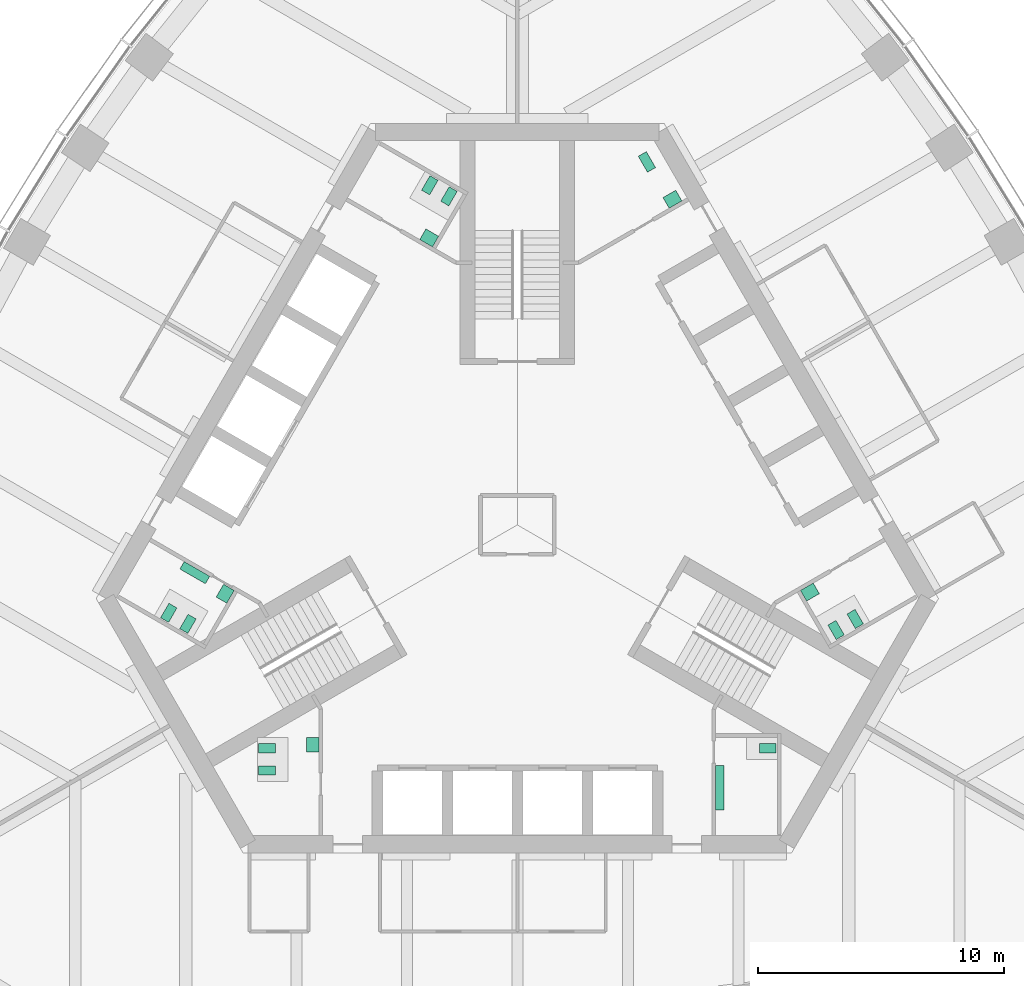
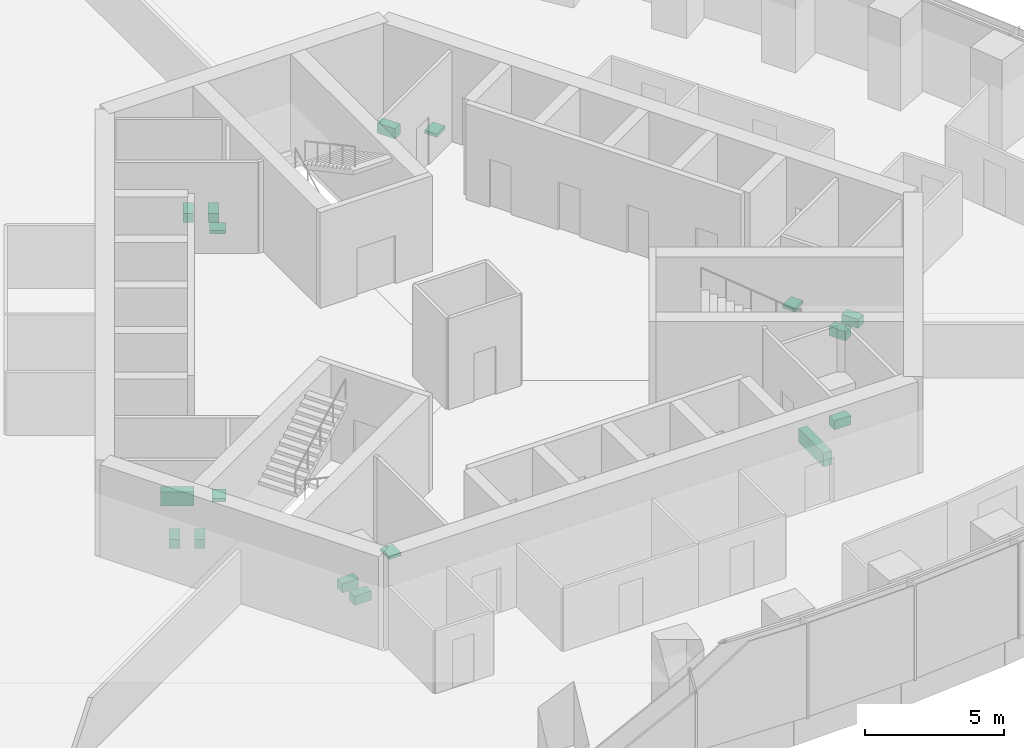
# One storey, part 13 of 14: 17 sanitary terminals.
"""IFC4 building model written with IfcOpenShell, lengths in metres."""

from ifc_helpers import new_model, si_unit, direction, frame, origin, place, context, subcontext, project, spatial, polyline, outline, extrude, material, type_object, element, save


model = new_model("IFC4")

# Units and contexts
model_context = context("Model", 3, precision=1e-05, world=origin(), true_north=direction((0.0, 1.0)))
body_context = subcontext(model_context, "Body", "Model", "MODEL_VIEW")
ifc_project = project(units=[si_unit("LENGTHUNIT", "METRE"), si_unit("AREAUNIT", "SQUARE_METRE"), si_unit("VOLUMEUNIT", "CUBIC_METRE"), si_unit("PLANEANGLEUNIT", "RADIAN"), si_unit("MASSUNIT", "GRAM", prefix="KILO")], contexts=[model_context])

# Site, building, storey
site_placement = place(None, origin())
site = spatial("IfcSite", under=ifc_project, at=site_placement, CompositionType="ELEMENT")
building_placement = place(site_placement, origin())
building = spatial("IfcBuilding", under=site, at=building_placement, Name="Trefoil Bronze Tower", CompositionType="ELEMENT")
storey_placement = place(building_placement, frame((0.0, 0.0, 280.5)))
storey = spatial("IfcBuildingStorey", under=building, at=storey_placement, Name="L64", CompositionType="ELEMENT", Elevation=280.5)

# Sanitary terminals
ifc_material_1 = material(Name="Vitreous china", Category="ceramic")
sanitary_terminal_type_1 = type_object("IfcSanitaryTerminalType", Name="Accessible WC pan", PredefinedType="TOILETPAN", material=ifc_material_1)
sanitary_terminal_1_placement = place(storey_placement, origin())
element("IfcSanitaryTerminal", 1, at=sanitary_terminal_1_placement, inside=storey, type_object=sanitary_terminal_type_1, Name="WC pan 1 Accessible WC L64", PredefinedType="TOILETPAN", context=body_context, shape_type="SweptSolid", body=[
    extrude(outline(polyline([(5.300537109375, 14.359130859375), (4.925537109375, 15.008544921875), (5.254638671875, 15.198486328125), (5.629638671875, 14.549072265625), (5.300537109375, 14.359130859375)])), origin(), (0.0, 0.0, 1.0), 0.449951171875),
])
ifc_material_2 = material(Name="Vitreous china", Category="ceramic")
sanitary_terminal_type_2 = type_object("IfcSanitaryTerminalType", Name="Accessible basin", PredefinedType="WASHHANDBASIN", material=ifc_material_2)
sanitary_terminal_2_placement = place(storey_placement, frame((0.0, 0.0, 0.64990234375)))
element("IfcSanitaryTerminal", 2, at=sanitary_terminal_2_placement, inside=storey, type_object=sanitary_terminal_type_2, Name="Wash basin Accessible WC L64", PredefinedType="WASHHANDBASIN", context=body_context, shape_type="SweptSolid", body=[
    extrude(outline(polyline([(6.181640625, 12.89306640625), (5.931640625, 13.326171875), (6.451171875, 13.626220703125), (6.701171875, 13.193115234375), (6.181640625, 12.89306640625)])), origin(), (0.0, 0.0, 1.0), 0.150146484375),
])
ifc_material_3 = material(Name="Vitreous china", Category="ceramic")
sanitary_terminal_type_3 = type_object("IfcSanitaryTerminalType", Name="Urinal range 2 urinals", PredefinedType="URINAL", material=ifc_material_3)
sanitary_terminal_3_placement = place(storey_placement, frame((0.0, 0.0, 0.39990234375)))
element("IfcSanitaryTerminal", 3, at=sanitary_terminal_3_placement, inside=storey, type_object=sanitary_terminal_type_3, Name="Urinal range WC (men) L64", PredefinedType="URINAL", context=body_context, shape_type="SweptSolid", body=[
    extrude(outline(polyline([(-12.524658203125, -2.09326171875), (-12.699462890625, -2.396240234375), (-13.73876953125, -1.796142578125), (-13.563720703125, -1.4931640625), (-12.524658203125, -2.09326171875)])), origin(), (0.0, 0.0, 1.0), 0.60009765625),
])
ifc_material_4 = material(Name="Vitreous china", Category="ceramic")
sanitary_terminal_type_4 = type_object("IfcSanitaryTerminalType", Name="Urinal range 3 urinals", PredefinedType="URINAL", material=ifc_material_4)
sanitary_terminal_4_placement = place(storey_placement, frame((0.0, 0.0, 0.39990234375)))
element("IfcSanitaryTerminal", 4, at=sanitary_terminal_4_placement, inside=storey, type_object=sanitary_terminal_type_4, Name="Urinal range WC (men) L64", PredefinedType="URINAL", context=body_context, shape_type="SweptSolid", body=[
    extrude(outline(polyline([(8.074951171875, -9.800048828125), (8.425048828125, -9.800048828125), (8.425048828125, -11.60009765625), (8.074951171875, -11.60009765625), (8.074951171875, -9.800048828125)])), origin(), (0.0, 0.0, 1.0), 0.60009765625),
])
ifc_material_5 = material(Name="Solid surface vanity", Category="plastic")
sanitary_terminal_type_5 = type_object("IfcSanitaryTerminalType", Name="Vanity unit 1 basins", PredefinedType="WASHHANDBASIN", material=ifc_material_5)
sanitary_terminal_5_placement = place(storey_placement, frame((0.0, 0.0, 0.75)))
element("IfcSanitaryTerminal", 5, at=sanitary_terminal_5_placement, inside=storey, type_object=sanitary_terminal_type_5, Name="Vanity unit WC (women) L64", PredefinedType="WASHHANDBASIN", context=body_context, shape_type="SweptSolid", body=[
    extrude(outline(polyline([(11.528564453125, -2.668212890625), (11.778564453125, -3.10107421875), (12.29833984375, -2.80126953125), (12.04833984375, -2.3681640625), (11.528564453125, -2.668212890625)])), origin(), (0.0, 0.0, 1.0), 0.14990234375),
])
sanitary_terminal_6_placement = place(storey_placement, frame((0.0, 0.0, 0.75)))
element("IfcSanitaryTerminal", 6, at=sanitary_terminal_6_placement, inside=storey, type_object=sanitary_terminal_type_5, Name="Vanity unit WC (women) L64", PredefinedType="WASHHANDBASIN", context=body_context, shape_type="SweptSolid", body=[
    extrude(outline(polyline([(-3.45361328125, 11.318115234375), (-3.20361328125, 11.751220703125), (-3.72314453125, 12.05126953125), (-3.97314453125, 11.6181640625), (-3.45361328125, 11.318115234375)])), origin(), (0.0, 0.0, 1.0), 0.14990234375),
])
sanitary_terminal_7_placement = place(storey_placement, frame((0.0, 0.0, 0.75)))
element("IfcSanitaryTerminal", 7, at=sanitary_terminal_7_placement, inside=storey, type_object=sanitary_terminal_type_5, Name="Vanity unit WC (men) L64", PredefinedType="WASHHANDBASIN", context=body_context, shape_type="SweptSolid", body=[
    extrude(outline(polyline([(-11.528564453125, -2.668212890625), (-11.82861328125, -3.187744140625), (-12.26171875, -2.937744140625), (-11.961669921875, -2.418212890625), (-11.528564453125, -2.668212890625)])), origin(), (0.0, 0.0, 1.0), 0.14990234375),
])
sanitary_terminal_8_placement = place(storey_placement, frame((0.0, 0.0, 0.75)))
element("IfcSanitaryTerminal", 8, at=sanitary_terminal_8_placement, inside=storey, type_object=sanitary_terminal_type_5, Name="Vanity unit WC (women) L64", PredefinedType="WASHHANDBASIN", context=body_context, shape_type="SweptSolid", body=[
    extrude(outline(polyline([(-8.074951171875, -8.64990234375), (-8.574951171875, -8.64990234375), (-8.574951171875, -9.25), (-8.074951171875, -9.25), (-8.074951171875, -8.64990234375)])), origin(), (0.0, 0.0, 1.0), 0.14990234375),
])
ifc_material_6 = material(Name="Vitreous china", Category="ceramic")
sanitary_terminal_type_6 = type_object("IfcSanitaryTerminalType", Name="WC pan", PredefinedType="TOILETPAN", material=ifc_material_6)
sanitary_terminal_9_placement = place(storey_placement, origin())
element("IfcSanitaryTerminal", 9, at=sanitary_terminal_9_placement, inside=storey, type_object=sanitary_terminal_type_6, Name="WC pan 1 WC (men) L64", PredefinedType="TOILETPAN", context=body_context, shape_type="SweptSolid", body=[
    extrude(outline(polyline([(9.85498046875, -8.909912109375), (10.534912109375, -8.909912109375), (10.534912109375, -9.2900390625), (9.85498046875, -9.2900390625), (9.85498046875, -8.909912109375)])), origin(), (0.0, 0.0, 1.0), 0.39990234375),
])
sanitary_terminal_10_placement = place(storey_placement, origin())
element("IfcSanitaryTerminal", 10, at=sanitary_terminal_10_placement, inside=storey, type_object=sanitary_terminal_type_6, Name="WC pan 1 WC (women) L64", PredefinedType="TOILETPAN", context=body_context, shape_type="SweptSolid", body=[
    extrude(outline(polyline([(12.643798828125, -4.07958984375), (12.98388671875, -4.66845703125), (13.31298828125, -4.478515625), (12.972900390625, -3.8896484375), (12.643798828125, -4.07958984375)])), origin(), (0.0, 0.0, 1.0), 0.39990234375),
])
sanitary_terminal_11_placement = place(storey_placement, origin())
element("IfcSanitaryTerminal", 11, at=sanitary_terminal_11_placement, inside=storey, type_object=sanitary_terminal_type_6, Name="WC pan 2 WC (women) L64", PredefinedType="TOILETPAN", context=body_context, shape_type="SweptSolid", body=[
    extrude(outline(polyline([(13.423095703125, -3.629638671875), (13.76318359375, -4.218505859375), (14.09228515625, -4.028564453125), (13.752197265625, -3.439697265625), (13.423095703125, -3.629638671875)])), origin(), (0.0, 0.0, 1.0), 0.39990234375),
])
sanitary_terminal_12_placement = place(storey_placement, origin())
element("IfcSanitaryTerminal", 12, at=sanitary_terminal_12_placement, inside=storey, type_object=sanitary_terminal_type_6, Name="WC pan 1 WC (women) L64", PredefinedType="TOILETPAN", context=body_context, shape_type="SweptSolid", body=[
    extrude(outline(polyline([(-2.788818359375, 12.98974609375), (-2.44873046875, 13.57861328125), (-2.77783203125, 13.7685546875), (-3.117919921875, 13.1796875), (-2.788818359375, 12.98974609375)])), origin(), (0.0, 0.0, 1.0), 0.39990234375),
])
sanitary_terminal_13_placement = place(storey_placement, origin())
element("IfcSanitaryTerminal", 13, at=sanitary_terminal_13_placement, inside=storey, type_object=sanitary_terminal_type_6, Name="WC pan 2 WC (women) L64", PredefinedType="TOILETPAN", context=body_context, shape_type="SweptSolid", body=[
    extrude(outline(polyline([(-3.568115234375, 13.439697265625), (-3.228271484375, 14.028564453125), (-3.557373046875, 14.218505859375), (-3.897216796875, 13.629638671875), (-3.568115234375, 13.439697265625)])), origin(), (0.0, 0.0, 1.0), 0.39990234375),
])
sanitary_terminal_14_placement = place(storey_placement, origin())
element("IfcSanitaryTerminal", 14, at=sanitary_terminal_14_placement, inside=storey, type_object=sanitary_terminal_type_6, Name="WC pan 1 WC (men) L64", PredefinedType="TOILETPAN", context=body_context, shape_type="SweptSolid", body=[
    extrude(outline(polyline([(-13.076904296875, -3.82958984375), (-13.416748046875, -4.41845703125), (-13.745849609375, -4.228515625), (-13.406005859375, -3.6396484375), (-13.076904296875, -3.82958984375)])), origin(), (0.0, 0.0, 1.0), 0.39990234375),
])
sanitary_terminal_15_placement = place(storey_placement, origin())
element("IfcSanitaryTerminal", 15, at=sanitary_terminal_15_placement, inside=storey, type_object=sanitary_terminal_type_6, Name="WC pan 2 WC (men) L64", PredefinedType="TOILETPAN", context=body_context, shape_type="SweptSolid", body=[
    extrude(outline(polyline([(-13.856201171875, -3.379638671875), (-14.1962890625, -3.968505859375), (-14.525390625, -3.778564453125), (-14.185302734375, -3.189697265625), (-13.856201171875, -3.379638671875)])), origin(), (0.0, 0.0, 1.0), 0.39990234375),
])
sanitary_terminal_16_placement = place(storey_placement, origin())
element("IfcSanitaryTerminal", 16, at=sanitary_terminal_16_placement, inside=storey, type_object=sanitary_terminal_type_6, Name="WC pan 1 WC (women) L64", PredefinedType="TOILETPAN", context=body_context, shape_type="SweptSolid", body=[
    extrude(outline(polyline([(-9.85498046875, -8.909912109375), (-10.534912109375, -8.909912109375), (-10.534912109375, -9.2900390625), (-9.85498046875, -9.2900390625), (-9.85498046875, -8.909912109375)])), origin(), (0.0, 0.0, 1.0), 0.39990234375),
])
sanitary_terminal_17_placement = place(storey_placement, origin())
element("IfcSanitaryTerminal", 17, at=sanitary_terminal_17_placement, inside=storey, type_object=sanitary_terminal_type_6, Name="WC pan 2 WC (women) L64", PredefinedType="TOILETPAN", context=body_context, shape_type="SweptSolid", body=[
    extrude(outline(polyline([(-9.85498046875, -9.81005859375), (-10.534912109375, -9.81005859375), (-10.534912109375, -10.18994140625), (-9.85498046875, -10.18994140625), (-9.85498046875, -9.81005859375)])), origin(), (0.0, 0.0, 1.0), 0.39990234375),
])

save(model, "model.ifc")
